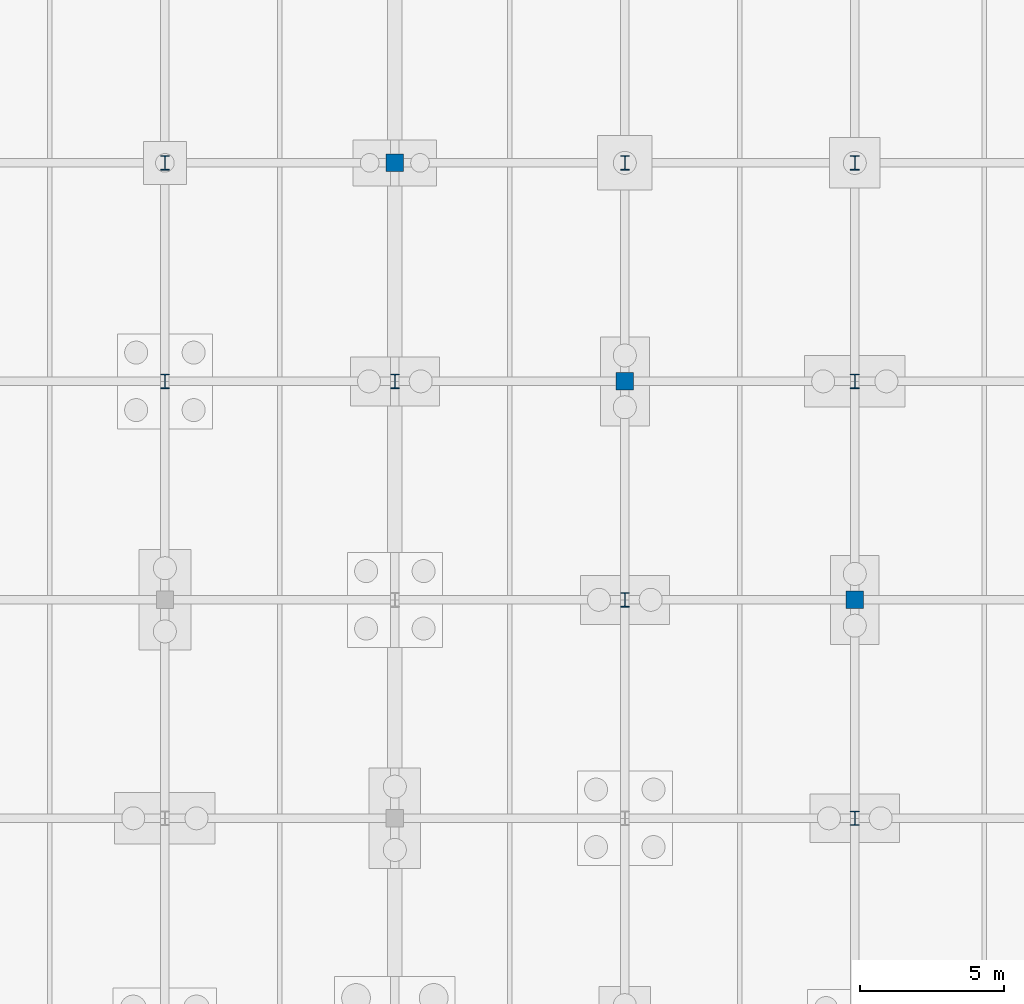
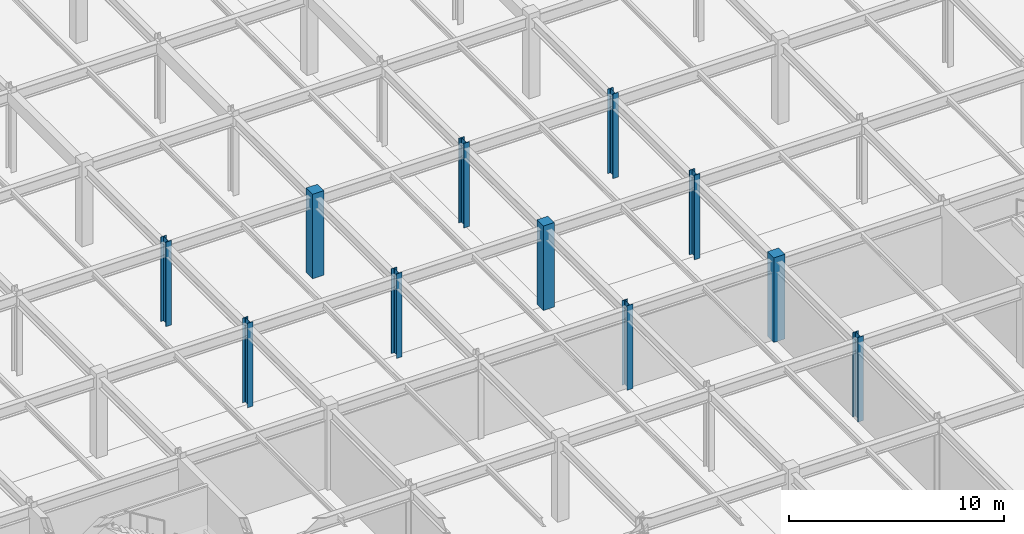
# One storey, part 22 of 53: 11 columns.
"""IFC4 building model written with IfcOpenShell, lengths in metres."""

from ifc_helpers import new_model, si_unit, direction, frame, origin, origin_2d, place, context, subcontext, project, spatial, rectangle, i_section, extrude, material, material_profile, profile_set, type_object, element, save


model = new_model("IFC4")

# Units and contexts
model_context = context("Model", 3, precision=1e-05, world=origin(), true_north=direction((0.0, 1.0)))
body_context = subcontext(model_context, "Body", "Model", "MODEL_VIEW")
ifc_project = project(units=[si_unit("LENGTHUNIT", "METRE"), si_unit("AREAUNIT", "SQUARE_METRE"), si_unit("VOLUMEUNIT", "CUBIC_METRE"), si_unit("PLANEANGLEUNIT", "RADIAN"), si_unit("MASSUNIT", "GRAM", prefix="KILO")], contexts=[model_context])

# Site, building, storey
site_placement = place(None, origin())
site = spatial("IfcSite", under=ifc_project, at=site_placement, CompositionType="ELEMENT")
building_placement = place(site_placement, origin())
building = spatial("IfcBuilding", under=site, at=building_placement, Name="Shalkamar Park Central Library", CompositionType="ELEMENT")
storey_placement = place(building_placement, frame((0.0, 0.0, -4.800048828125)))
storey = spatial("IfcBuildingStorey", under=building, at=storey_placement, Name="B1", CompositionType="ELEMENT", Elevation=-4.800048828125)

# Columns
ifc_material_1 = material(Name="Concrete C40/50", Category="concrete")
ifc_material_profile_1 = material_profile(ifc_material_1, rectangle(XDim=0.60009765625, YDim=0.60009765625, at=origin_2d()), Name="RC 600x600")
ifc_profile_set_1 = profile_set([ifc_material_profile_1], Name="Concrete C40/50")
column_type_1 = type_object("IfcColumnType", Name="Column Concrete RC600", PredefinedType="COLUMN", material=ifc_profile_set_1)
for number, where, z_axis, x_axis, name in (
    (1, (221.0, 323.60009765625, 0.0), (0.0, 0.0, 1.0), (1.0, 0.0, 0.0), "Column 14/M (B1)"),
    (2, (229.0, 316.0, 0.0), (0.0, 0.0, 1.0), (1.0, 0.0, 0.0), "Column 15/L (B1)"),
    (3, (237.0, 308.39990234375, 0.0), (0.0, 0.0, 1.0), (1.0, 0.0, 0.0), "Column 16/K (B1)"),
):
    element("IfcColumn", number, at=place(storey_placement, frame(where, z_axis=z_axis, x_axis=x_axis)), inside=storey, type_object=column_type_1, Name=name, PredefinedType="COLUMN", context=body_context, shape_type="SweptSolid", body=[
        extrude(rectangle(XDim=0.60009765625, YDim=0.60009765625, at=origin_2d()), origin(), (0.0, 0.0, 1.0), 4.800048828125),
    ])
ifc_material_2 = material(Name="Steel S355", Category="steel")
ifc_material_profile_2 = material_profile(ifc_material_2, i_section(OverallWidth=0.300048828125, OverallDepth=0.5, WebThickness=0.014404296875, FlangeThickness=0.028076171875, FilletRadius=0.027099609375, at=origin_2d()), Name="HEB 500")
ifc_profile_set_2 = profile_set([ifc_material_profile_2], Name="Steel S355")
column_type_2 = type_object("IfcColumnType", Name="Column Steel HEB500", PredefinedType="COLUMN", material=ifc_profile_set_2)
for number, where, z_axis, x_axis, name in (
    (4, (213.0, 316.0, 0.0), (0.0, 0.0, 1.0), (1.0, 0.0, 0.0), "Column 13/L (B1)"),
    (5, (213.0, 323.60009765625, 0.0), (0.0, 0.0, 1.0), (1.0, 0.0, 0.0), "Column 13/M (B1)"),
    (6, (221.0, 316.0, 0.0), (0.0, 0.0, 1.0), (1.0, 0.0, 0.0), "Column 14/L (B1)"),
    (7, (229.0, 308.39990234375, 0.0), (0.0, 0.0, 1.0), (1.0, 0.0, 0.0), "Column 15/K (B1)"),
    (8, (229.0, 323.60009765625, 0.0), (0.0, 0.0, 1.0), (1.0, 0.0, 0.0), "Column 15/M (B1)"),
    (9, (237.0, 300.800048828125, 0.0), (0.0, 0.0, 1.0), (1.0, 0.0, 0.0), "Column 16/J (B1)"),
    (10, (237.0, 316.0, 0.0), (0.0, 0.0, 1.0), (1.0, 0.0, 0.0), "Column 16/L (B1)"),
    (11, (237.0, 323.60009765625, 0.0), (0.0, 0.0, 1.0), (1.0, 0.0, 0.0), "Column 16/M (B1)"),
):
    element("IfcColumn", number, at=place(storey_placement, frame(where, z_axis=z_axis, x_axis=x_axis)), inside=storey, type_object=column_type_2, Name=name, PredefinedType="COLUMN", context=body_context, shape_type="SweptSolid", body=[
        extrude(i_section(OverallWidth=0.300048828125, OverallDepth=0.5, WebThickness=0.014404296875, FlangeThickness=0.028076171875, FilletRadius=0.027099609375, at=origin_2d()), origin(), (0.0, 0.0, 1.0), 4.800048828125),
    ])

save(model, "model.ifc")
